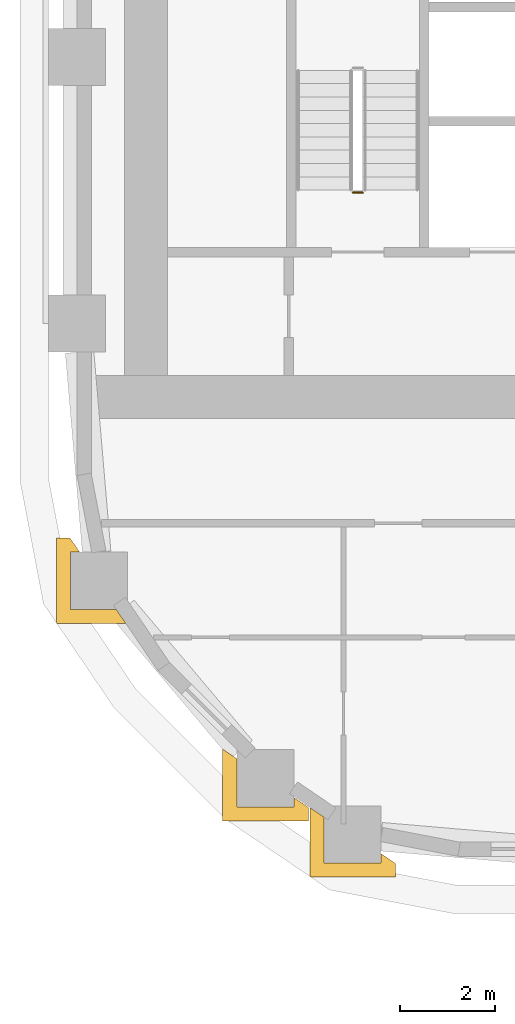
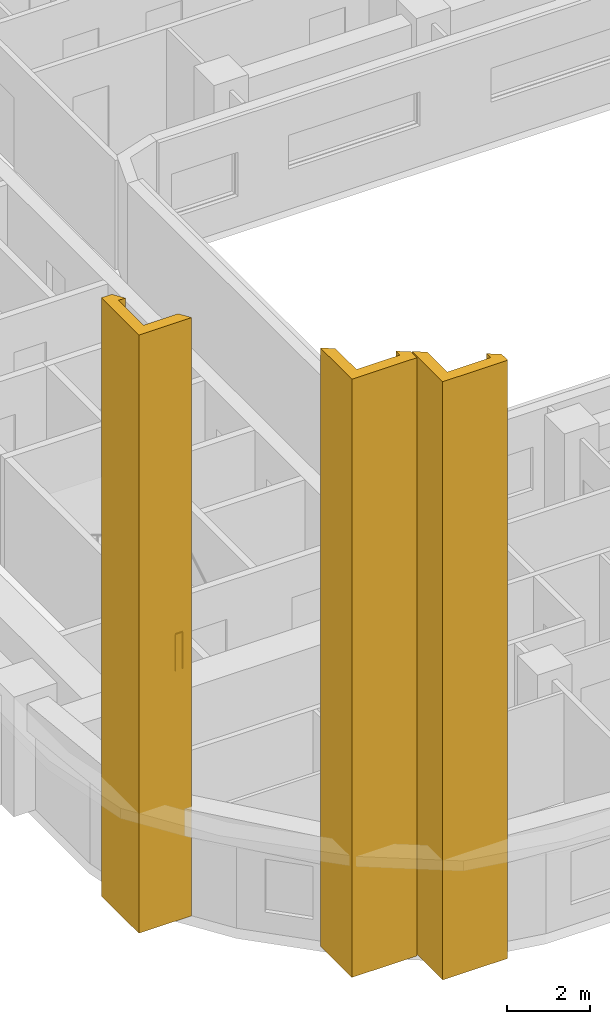
# One storey, part 12 of 23: 3 coverings, 1 railing.
"""IFC4 building model written with IfcOpenShell, lengths in metres."""

from ifc_helpers import new_model, si_unit, direction, frame, origin, origin_2d, place, context, subcontext, project, spatial, polyline, circle, outline, extrude, material, layer, layer_set, type_object, element, save


model = new_model("IFC4")

# Units and contexts
model_context = context("Model", 3, precision=1e-05, world=origin(), true_north=direction((0.0, 1.0)))
body_context = subcontext(model_context, "Body", "Model", "MODEL_VIEW")
ifc_project = project(units=[si_unit("LENGTHUNIT", "METRE"), si_unit("AREAUNIT", "SQUARE_METRE"), si_unit("VOLUMEUNIT", "CUBIC_METRE"), si_unit("PLANEANGLEUNIT", "RADIAN"), si_unit("MASSUNIT", "GRAM", prefix="KILO")], contexts=[model_context])

# Site, building, storey
site_placement = place(None, origin())
site = spatial("IfcSite", under=ifc_project, at=site_placement, CompositionType="ELEMENT")
building_placement = place(site_placement, origin())
building = spatial("IfcBuilding", under=site, at=building_placement, Name="Kiln Ring Residences", CompositionType="ELEMENT")
storey_placement = place(building_placement, frame((0.0, 0.0, 107.800048828125)))
storey = spatial("IfcBuildingStorey", under=building, at=storey_placement, Name="L27", CompositionType="ELEMENT", Elevation=107.800048828125)

# Railing
ifc_material_1 = material(Name="Stainless steel", Category="steel")
railing_type = type_object("IfcRailingType", Name="CORE-STAIR-GUARD", PredefinedType="GUARDRAIL", material=ifc_material_1)
railing_placement = place(storey_placement, frame((-22.0, -8.449951171875, 0.0)))
element("IfcRailing", 1, at=railing_placement, inside=storey, type_object=railing_type, Name="L27 W-STS stair guard 4", PredefinedType="GUARDRAIL", context=body_context, shape_type="SweptSolid", body=[
    extrude(circle(Radius=0.02392578125, at=origin_2d()), frame((0.0, 0.0, 1.076171875), z_axis=(-1.0, 0.0, 0.0), x_axis=(0.0, -1.0, 0.0)), (0.0, 0.0, 1.0), 0.199951171875),
    extrude(circle(Radius=0.02099609375, at=origin_2d()), origin(), (0.0, 0.0, 1.0), 1.052001953125),
    extrude(circle(Radius=0.02099609375, at=origin_2d()), frame((-0.199951171875, 0.0, 0.0)), (0.0, 0.0, 1.0), 1.052001953125),
])

# Coverings
ifc_material_2 = material(Name="Brick masonry, dark clay brick", Category="masonry")
ifc_layer = layer(ifc_material_2, 0.300048828125)
ifc_layer_set = layer_set([ifc_layer], Name="PIER CLADDING 300")
covering_type = type_object("IfcCoveringType", Name="PIER CLADDING 300", PredefinedType="CLADDING", material=ifc_layer_set)
placement = place(storey_placement, origin())
element("IfcCovering", 2, at=placement, inside=storey, type_object=covering_type, Name="PIER CLADDING L27-L31", PredefinedType="CLADDING", context=body_context, shape_type="SweptSolid", body=[
    extrude(outline(polyline([(-22.80859375, -22.5380859375), (-22.80859375, -21.578369140625), (-23.108642578125, -21.37451171875), (-23.108642578125, -22.838134765625), (-21.30859375, -22.838134765625), (-21.30859375, -22.5498046875), (-21.608642578125, -22.345947265625), (-21.608642578125, -22.5380859375), (-22.80859375, -22.5380859375)])), origin(), (0.0, 0.0, 1.0), 17.5),
])
element("IfcCovering", 3, at=placement, inside=storey, type_object=covering_type, Name="PIER CLADDING L27-L31", PredefinedType="CLADDING", context=body_context, shape_type="SweptSolid", body=[
    extrude(outline(polyline([(-28.14990234375, -15.708740234375), (-28.43798828125, -15.708740234375), (-28.43798828125, -17.5087890625), (-26.974609375, -17.5087890625), (-27.178466796875, -17.208740234375), (-28.13818359375, -17.208740234375), (-28.13818359375, -16.0087890625), (-27.94580078125, -16.0087890625), (-28.14990234375, -15.708740234375)])), origin(), (0.0, 0.0, 1.0), 17.5),
])
element("IfcCovering", 4, at=placement, inside=storey, type_object=covering_type, Name="PIER CLADDING L27-L31", PredefinedType="CLADDING", context=body_context, shape_type="SweptSolid", body=[
    extrude(outline(polyline([(-24.64013671875, -20.35205078125), (-24.940185546875, -20.148193359375), (-24.940185546875, -21.659912109375), (-23.14013671875, -21.659912109375), (-23.14013671875, -21.37158203125), (-23.440185546875, -21.16748046875), (-23.440185546875, -21.35986328125), (-24.64013671875, -21.35986328125), (-24.64013671875, -20.35205078125)])), origin(), (0.0, 0.0, 1.0), 17.5),
])

save(model, "model.ifc")
